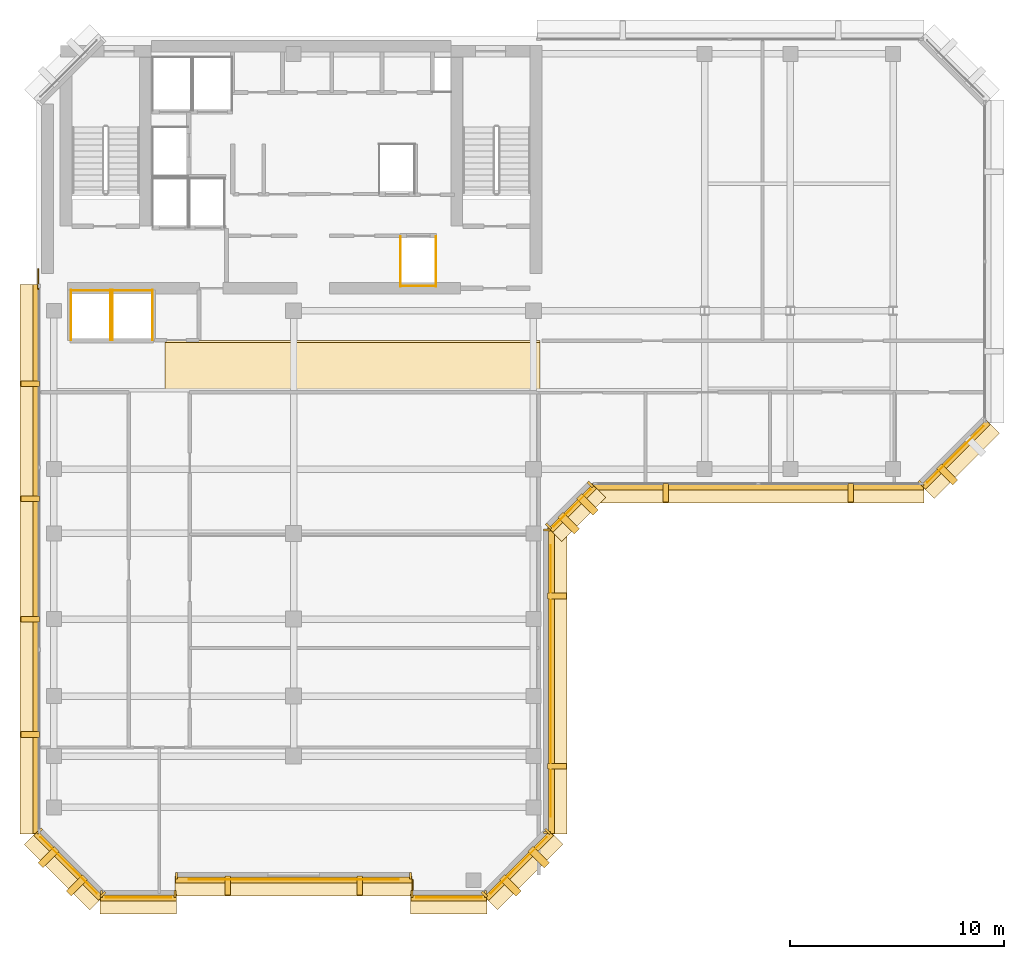
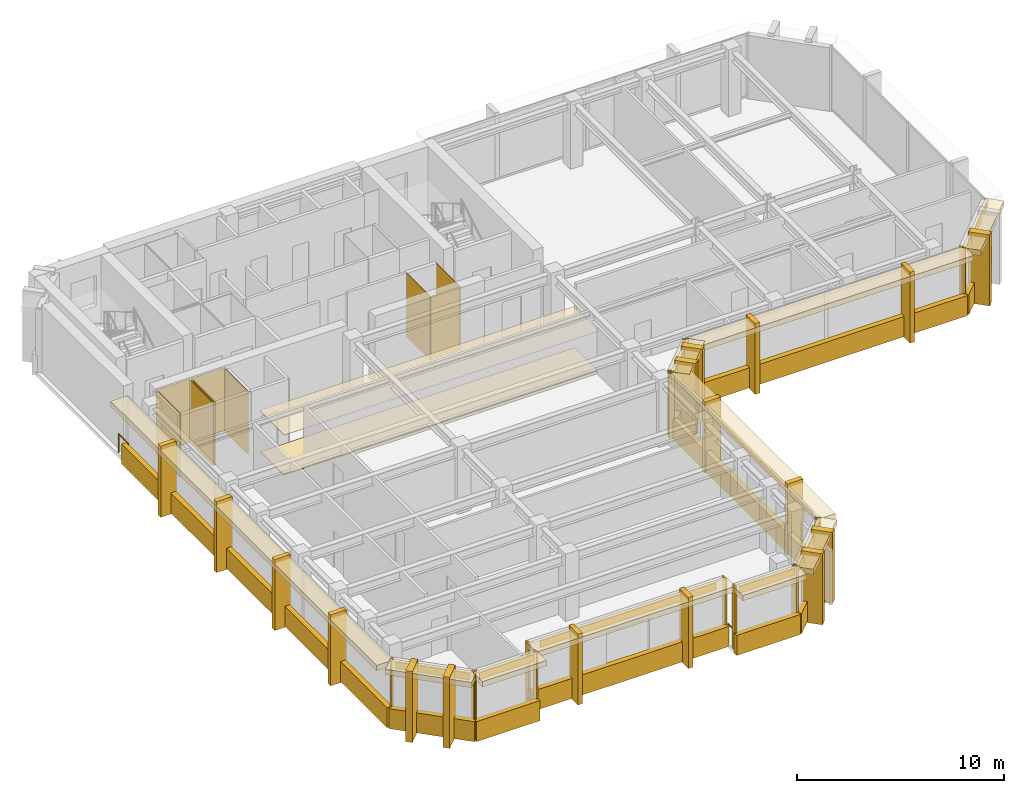
# One storey, part 9 of 12: 71 coverings, 2 railings.
"""IFC4 building model written with IfcOpenShell, lengths in metres."""

from ifc_helpers import new_model, si_unit, direction, frame, origin, origin_2d, place, context, subcontext, project, spatial, polyline, rectangle, circle, outline, extrude, material, layer, layer_set, type_object, element, save


model = new_model("IFC4")

# Units and contexts
model_context = context("Model", 3, precision=1e-05, world=origin(), true_north=direction((0.0, 1.0)))
body_context = subcontext(model_context, "Body", "Model", "MODEL_VIEW")
ifc_project = project(units=[si_unit("LENGTHUNIT", "METRE"), si_unit("AREAUNIT", "SQUARE_METRE"), si_unit("VOLUMEUNIT", "CUBIC_METRE"), si_unit("PLANEANGLEUNIT", "RADIAN"), si_unit("MASSUNIT", "GRAM", prefix="KILO")], contexts=[model_context])

# Site, building, storey
site_placement = place(None, origin())
site = spatial("IfcSite", under=ifc_project, at=site_placement, CompositionType="ELEMENT")
building_placement = place(site_placement, origin())
building = spatial("IfcBuilding", under=site, at=building_placement, Name="Kefirva Bronze Tower", CompositionType="ELEMENT")
storey_placement = place(building_placement, frame((0.0, 0.0, 280.169921875)))
storey = spatial("IfcBuildingStorey", under=building, at=storey_placement, Name="L68", CompositionType="ELEMENT", Elevation=280.169921875)

# Coverings
ifc_material_1 = material(Name="Acoustic mineral tile")
ifc_layer_1 = layer(ifc_material_1, 0.02490234375, Name="Acoustic mineral tile")
ifc_layer_set_1 = layer_set([ifc_layer_1], Name="Acoustic mineral tile")
covering_type_1 = type_object("IfcCoveringType", Name="Acoustic Mineral Suspended Ceiling 25mm", PredefinedType="CEILING", material=ifc_layer_set_1)
covering_1_placement = place(storey_placement, frame((0.0, 0.0, 2.400146484375)))
element("IfcCovering", 1, at=covering_1_placement, inside=storey, type_object=covering_type_1, Name="L68 Corridor Acoustic Ceiling", PredefinedType="CEILING", context=body_context, shape_type="SweptSolid", body=[
    extrude(outline(polyline([(6.0, 29.39990234375), (23.5, 29.39990234375), (23.5, 31.800048828125), (6.0, 31.800048828125), (6.0, 29.39990234375)])), origin(), (0.0, 0.0, 1.0), 0.02490234375),
])
ifc_material_2 = material(Name="Bronze anodised aluminium", Category="aluminium")
ifc_layer_2 = layer(ifc_material_2, 0.02001953125, Name="Bronze anodised aluminium")
ifc_layer_set_2 = layer_set([ifc_layer_2], Name="Bronze anodised aluminium")
covering_type_2 = type_object("IfcCoveringType", Name="Anodised Bronze Spandrel Cladding 20mm", PredefinedType="CLADDING", material=ifc_layer_set_2)
covering_2_placement = place(storey_placement, frame((4.75, 5.7900390625, 3.320068359375), z_axis=(0.0, 0.0, 1.0), x_axis=(1.0, 0.0, 0.0)))
element("IfcCovering", 2, at=covering_2_placement, inside=storey, type_object=covering_type_2, Name="L68 Bronze Spandrel Cladding 1", PredefinedType="CLADDING", context=body_context, shape_type="SweptSolid", body=[
    extrude(rectangle(XDim=3.051025390625, YDim=0.02001953125, at=origin_2d()), origin(), (0.0, 0.0, 1.0), 0.39990234375),
])
for number, where, z_axis, x_axis, name in (
    (3, (3.034912109375, 5.9599609375, 0.0), (0.0, 0.0, 1.0), (1.0, 0.0, 0.0), "L68 Facade Joint Closure Panel 1S"),
    (4, (6.465087890625, 5.9599609375, 0.0), (0.0, 0.0, 1.0), (1.0, 0.0, 0.0), "L68 Facade Joint Closure Panel 1E"),
):
    element("IfcCovering", number, at=place(storey_placement, frame(where, z_axis=z_axis, x_axis=x_axis)), inside=storey, type_object=covering_type_2, Name=name, PredefinedType="CLADDING", context=body_context, shape_type="SweptSolid", body=[
        extrude(rectangle(XDim=0.10009765625, YDim=0.320068359375, at=origin_2d()), origin(), (0.0, 0.0, 1.0), 3.739990234375),
    ])
covering_3_placement = place(storey_placement, frame((4.75, 5.760009765625, -0.15966796875), z_axis=(0.0, 0.0, 1.0), x_axis=(1.0, 0.0, 0.0)))
element("IfcCovering", 5, at=covering_3_placement, inside=storey, type_object=covering_type_2, Name="L68 Streamline Horizontal Spandrel Band 0", PredefinedType="CLADDING", context=body_context, shape_type="SweptSolid", body=[
    extrude(rectangle(XDim=3.5400390625, YDim=0.280029296875, at=origin_2d()), origin(), (0.0, 0.0, 1.0), 1.179931640625),
])
covering_4_placement = place(storey_placement, frame((12.0, 6.639892578125, 3.320068359375), z_axis=(0.0, 0.0, 1.0), x_axis=(1.0, 0.0, 0.0)))
element("IfcCovering", 6, at=covering_4_placement, inside=storey, type_object=covering_type_2, Name="L68 Bronze Spandrel Cladding 2", PredefinedType="CLADDING", context=body_context, shape_type="SweptSolid", body=[
    extrude(rectangle(XDim=9.801025390625, YDim=0.02001953125, at=origin_2d()), origin(), (0.0, 0.0, 1.0), 0.39990234375),
])
for number, where, z_axis, x_axis, name in (
    (7, (6.534912109375, 6.81005859375, 0.0), (0.0, 0.0, 1.0), (1.0, 0.0, 0.0), "L68 Facade Joint Closure Panel 2S"),
    (8, (17.465087890625, 6.81005859375, 0.0), (0.0, 0.0, 1.0), (1.0, 0.0, 0.0), "L68 Facade Joint Closure Panel 2E"),
):
    element("IfcCovering", number, at=place(storey_placement, frame(where, z_axis=z_axis, x_axis=x_axis)), inside=storey, type_object=covering_type_2, Name=name, PredefinedType="CLADDING", context=body_context, shape_type="SweptSolid", body=[
        extrude(rectangle(XDim=0.10009765625, YDim=0.320068359375, at=origin_2d()), origin(), (0.0, 0.0, 1.0), 3.739990234375),
    ])
covering_5_placement = place(storey_placement, frame((12.0, 6.610107421875, -0.15966796875), z_axis=(0.0, 0.0, 1.0), x_axis=(1.0, 0.0, 0.0)))
element("IfcCovering", 9, at=covering_5_placement, inside=storey, type_object=covering_type_2, Name="L68 Streamline Horizontal Spandrel Band 2", PredefinedType="CLADDING", context=body_context, shape_type="SweptSolid", body=[
    extrude(rectangle(XDim=11.0400390625, YDim=0.280029296875, at=origin_2d()), origin(), (0.0, 0.0, 1.0), 1.179931640625),
])
covering_6_placement = place(storey_placement, frame((19.25, 5.7900390625, 3.320068359375), z_axis=(0.0, 0.0, 1.0), x_axis=(1.0, 0.0, 0.0)))
element("IfcCovering", 10, at=covering_6_placement, inside=storey, type_object=covering_type_2, Name="L68 Bronze Spandrel Cladding 3", PredefinedType="CLADDING", context=body_context, shape_type="SweptSolid", body=[
    extrude(rectangle(XDim=3.051025390625, YDim=0.02001953125, at=origin_2d()), origin(), (0.0, 0.0, 1.0), 0.39990234375),
])
for number, where, z_axis, x_axis, name in (
    (11, (17.534912109375, 5.9599609375, 0.0), (0.0, 0.0, 1.0), (1.0, 0.0, 0.0), "L68 Facade Joint Closure Panel 3S"),
    (12, (20.965087890625, 5.9599609375, 0.0), (0.0, 0.0, 1.0), (1.0, 0.0, 0.0), "L68 Facade Joint Closure Panel 3E"),
):
    element("IfcCovering", number, at=place(storey_placement, frame(where, z_axis=z_axis, x_axis=x_axis)), inside=storey, type_object=covering_type_2, Name=name, PredefinedType="CLADDING", context=body_context, shape_type="SweptSolid", body=[
        extrude(rectangle(XDim=0.10009765625, YDim=0.320068359375, at=origin_2d()), origin(), (0.0, 0.0, 1.0), 3.739990234375),
    ])
covering_7_placement = place(storey_placement, frame((19.25, 5.760009765625, -0.15966796875), z_axis=(0.0, 0.0, 1.0), x_axis=(1.0, 0.0, 0.0)))
element("IfcCovering", 13, at=covering_7_placement, inside=storey, type_object=covering_type_2, Name="L68 Streamline Horizontal Spandrel Band 4", PredefinedType="CLADDING", context=body_context, shape_type="SweptSolid", body=[
    extrude(rectangle(XDim=3.5400390625, YDim=0.280029296875, at=origin_2d()), origin(), (0.0, 0.0, 1.0), 1.179931640625),
])
covering_8_placement = place(storey_placement, frame((22.507080078125, 7.29296875, 3.320068359375), z_axis=(0.0, 0.0, 1.0), x_axis=(0.707106781187, 0.707106781187, 0.0)))
element("IfcCovering", 14, at=covering_8_placement, inside=storey, type_object=covering_type_2, Name="L68 Bronze Spandrel Cladding 4", PredefinedType="CLADDING", context=body_context, shape_type="SweptSolid", body=[
    extrude(rectangle(XDim=3.719482421875, YDim=0.02001953125, at=origin_2d()), origin(), (0.0, 0.0, 1.0), 0.39990234375),
])
for number, where, z_axis, x_axis, name in (
    (15, (20.91162109375, 5.93798828125, 0.0), (0.0, 0.0, 1.0), (0.707106781187, 0.707106781187, 0.0), "L68 Facade Joint Closure Panel 4S"),
    (16, (23.862060546875, 8.88818359375, 0.0), (0.0, 0.0, 1.0), (0.707106781187, 0.707106781187, 0.0), "L68 Facade Joint Closure Panel 4E"),
):
    element("IfcCovering", number, at=place(storey_placement, frame(where, z_axis=z_axis, x_axis=x_axis)), inside=storey, type_object=covering_type_2, Name=name, PredefinedType="CLADDING", context=body_context, shape_type="SweptSolid", body=[
        extrude(rectangle(XDim=0.10009765625, YDim=0.320068359375, at=origin_2d()), origin(), (0.0, 0.0, 1.0), 3.739990234375),
    ])
covering_9_placement = place(storey_placement, frame((22.5283203125, 7.271728515625, -0.15966796875), z_axis=(0.0, 0.0, 1.0), x_axis=(0.707106781187, 0.707106781187, 0.0)))
element("IfcCovering", 17, at=covering_9_placement, inside=storey, type_object=covering_type_2, Name="L68 Streamline Horizontal Spandrel Band 5", PredefinedType="CLADDING", context=body_context, shape_type="SweptSolid", body=[
    extrude(rectangle(XDim=4.28271484375, YDim=0.280029296875, at=origin_2d()), origin(), (0.0, 0.0, 1.0), 1.179931640625),
])
covering_10_placement = place(storey_placement, frame((24.010009765625, 15.89990234375, 3.320068359375), z_axis=(0.0, 0.0, 1.0), x_axis=(0.0, 1.0, 0.0)))
element("IfcCovering", 18, at=covering_10_placement, inside=storey, type_object=covering_type_2, Name="L68 Bronze Spandrel Cladding 5", PredefinedType="CLADDING", context=body_context, shape_type="SweptSolid", body=[
    extrude(rectangle(XDim=12.680908203125, YDim=0.02001953125, at=origin_2d()), origin(), (0.0, 0.0, 1.0), 0.39990234375),
])
for number, where, z_axis, x_axis, name in (
    (19, (23.840087890625, 8.8349609375, 0.0), (0.0, 0.0, 1.0), (0.0, 1.0, 0.0), "L68 Facade Joint Closure Panel 5S"),
    (20, (23.840087890625, 22.965087890625, 0.0), (0.0, 0.0, 1.0), (0.0, 1.0, 0.0), "L68 Facade Joint Closure Panel 5E"),
):
    element("IfcCovering", number, at=place(storey_placement, frame(where, z_axis=z_axis, x_axis=x_axis)), inside=storey, type_object=covering_type_2, Name=name, PredefinedType="CLADDING", context=body_context, shape_type="SweptSolid", body=[
        extrude(rectangle(XDim=0.10009765625, YDim=0.320068359375, at=origin_2d()), origin(), (0.0, 0.0, 1.0), 3.739990234375),
    ])
covering_11_placement = place(storey_placement, frame((24.0400390625, 15.89990234375, -0.15966796875), z_axis=(0.0, 0.0, 1.0), x_axis=(0.0, 1.0, 0.0)))
element("IfcCovering", 21, at=covering_11_placement, inside=storey, type_object=covering_type_2, Name="L68 Streamline Horizontal Spandrel Band 6", PredefinedType="CLADDING", context=body_context, shape_type="SweptSolid", body=[
    extrude(rectangle(XDim=14.239990234375, YDim=0.280029296875, at=origin_2d()), origin(), (0.0, 0.0, 1.0), 1.179931640625),
])
covering_12_placement = place(storey_placement, frame((25.007080078125, 23.992919921875, 3.320068359375), z_axis=(0.0, 0.0, 1.0), x_axis=(0.707106781187, 0.707106781187, 0.0)))
element("IfcCovering", 22, at=covering_12_placement, inside=storey, type_object=covering_type_2, Name="L68 Bronze Spandrel Cladding 6", PredefinedType="CLADDING", context=body_context, shape_type="SweptSolid", body=[
    extrude(rectangle(XDim=2.446533203125, YDim=0.02001953125, at=origin_2d()), origin(), (0.0, 0.0, 1.0), 0.39990234375),
])
for number, where, z_axis, x_axis, name in (
    (23, (23.91162109375, 23.137939453125, 0.0), (0.0, 0.0, 1.0), (0.707106781187, 0.707106781187, 0.0), "L68 Facade Joint Closure Panel 6S"),
    (24, (25.862060546875, 25.08837890625, 0.0), (0.0, 0.0, 1.0), (0.707106781187, 0.707106781187, 0.0), "L68 Facade Joint Closure Panel 6E"),
):
    element("IfcCovering", number, at=place(storey_placement, frame(where, z_axis=z_axis, x_axis=x_axis)), inside=storey, type_object=covering_type_2, Name=name, PredefinedType="CLADDING", context=body_context, shape_type="SweptSolid", body=[
        extrude(rectangle(XDim=0.10009765625, YDim=0.320068359375, at=origin_2d()), origin(), (0.0, 0.0, 1.0), 3.739990234375),
    ])
covering_13_placement = place(storey_placement, frame((25.0283203125, 23.9716796875, -0.15966796875), z_axis=(0.0, 0.0, 1.0), x_axis=(0.707106781187, 0.707106781187, 0.0)))
element("IfcCovering", 25, at=covering_13_placement, inside=storey, type_object=covering_type_2, Name="L68 Streamline Horizontal Spandrel Band 7", PredefinedType="CLADDING", context=body_context, shape_type="SweptSolid", body=[
    extrude(rectangle(XDim=2.868408203125, YDim=0.280029296875, at=origin_2d()), origin(), (0.0, 0.0, 1.0), 1.179931640625),
])
covering_14_placement = place(storey_placement, frame((33.699951171875, 24.9599609375, -0.15966796875), z_axis=(0.0, 0.0, 1.0), x_axis=(1.0, 0.0, 0.0)))
element("IfcCovering", 26, at=covering_14_placement, inside=storey, type_object=covering_type_2, Name="L68 Streamline Horizontal Spandrel Band 8", PredefinedType="CLADDING", context=body_context, shape_type="SweptSolid", body=[
    extrude(rectangle(XDim=15.43994140625, YDim=0.280029296875, at=origin_2d()), origin(), (0.0, 0.0, 1.0), 1.179931640625),
])
covering_15_placement = place(storey_placement, frame((42.906982421875, 26.492919921875, 3.320068359375), z_axis=(0.0, 0.0, 1.0), x_axis=(0.707106781187, 0.707106781187, 0.0)))
element("IfcCovering", 27, at=covering_15_placement, inside=storey, type_object=covering_type_2, Name="L68 Bronze Spandrel Cladding 7", PredefinedType="CLADDING", context=body_context, shape_type="SweptSolid", body=[
    extrude(rectangle(XDim=3.719482421875, YDim=0.02001953125, at=origin_2d()), origin(), (0.0, 0.0, 1.0), 0.39990234375),
])
covering_16_placement = place(storey_placement, frame((41.311767578125, 25.137939453125, 0.0), z_axis=(0.0, 0.0, 1.0), x_axis=(0.707106781187, 0.707106781187, 0.0)))
element("IfcCovering", 28, at=covering_16_placement, inside=storey, type_object=covering_type_2, Name="L68 Facade Joint Closure Panel 7S", PredefinedType="CLADDING", context=body_context, shape_type="SweptSolid", body=[
    extrude(rectangle(XDim=0.10009765625, YDim=0.320068359375, at=origin_2d()), origin(), (0.0, 0.0, 1.0), 3.739990234375),
])
covering_17_placement = place(storey_placement, frame((42.92822265625, 26.4716796875, -0.15966796875), z_axis=(0.0, 0.0, 1.0), x_axis=(0.707106781187, 0.707106781187, 0.0)))
element("IfcCovering", 29, at=covering_17_placement, inside=storey, type_object=covering_type_2, Name="L68 Streamline Horizontal Spandrel Band 9", PredefinedType="CLADDING", context=body_context, shape_type="SweptSolid", body=[
    extrude(rectangle(XDim=4.28271484375, YDim=0.280029296875, at=origin_2d()), origin(), (0.0, 0.0, 1.0), 1.179931640625),
])
covering_18_placement = place(storey_placement, frame((-0.0400390625, 21.597412109375, -0.15966796875), z_axis=(0.0, 0.0, 1.0), x_axis=(0.0, -1.0, 0.0)))
element("IfcCovering", 30, at=covering_18_placement, inside=storey, type_object=covering_type_2, Name="L68 Streamline Horizontal Spandrel Band 14", PredefinedType="CLADDING", context=body_context, shape_type="SweptSolid", body=[
    extrude(rectangle(XDim=25.635009765625, YDim=0.280029296875, at=origin_2d()), origin(), (0.0, 0.0, 1.0), 1.179931640625),
])
covering_19_placement = place(storey_placement, frame((1.492919921875, 7.29296875, 3.320068359375), z_axis=(0.0, 0.0, 1.0), x_axis=(0.707106781187, -0.707106781187, 0.0)))
element("IfcCovering", 31, at=covering_19_placement, inside=storey, type_object=covering_type_2, Name="L68 Bronze Spandrel Cladding 10", PredefinedType="CLADDING", context=body_context, shape_type="SweptSolid", body=[
    extrude(rectangle(XDim=3.719482421875, YDim=0.02001953125, at=origin_2d()), origin(), (0.0, 0.0, 1.0), 0.39990234375),
])
for number, where, z_axis, x_axis, name in (
    (32, (0.137939453125, 8.88818359375, 0.0), (0.0, 0.0, 1.0), (0.707106781187, -0.707106781187, 0.0), "L68 Facade Joint Closure Panel 10S"),
    (33, (3.08837890625, 5.93798828125, 0.0), (0.0, 0.0, 1.0), (0.707106781187, -0.707106781187, 0.0), "L68 Facade Joint Closure Panel 10E"),
):
    element("IfcCovering", number, at=place(storey_placement, frame(where, z_axis=z_axis, x_axis=x_axis)), inside=storey, type_object=covering_type_2, Name=name, PredefinedType="CLADDING", context=body_context, shape_type="SweptSolid", body=[
        extrude(rectangle(XDim=0.10009765625, YDim=0.320068359375, at=origin_2d()), origin(), (0.0, 0.0, 1.0), 3.739990234375),
    ])
covering_20_placement = place(storey_placement, frame((1.4716796875, 7.271728515625, -0.15966796875), z_axis=(0.0, 0.0, 1.0), x_axis=(0.707106781187, -0.707106781187, 0.0)))
element("IfcCovering", 34, at=covering_20_placement, inside=storey, type_object=covering_type_2, Name="L68 Streamline Horizontal Spandrel Band 15", PredefinedType="CLADDING", context=body_context, shape_type="SweptSolid", body=[
    extrude(rectangle(XDim=4.28271484375, YDim=0.280029296875, at=origin_2d()), origin(), (0.0, 0.0, 1.0), 1.179931640625),
])
covering_21_placement = place(storey_placement, origin())
element("IfcCovering", 35, at=covering_21_placement, inside=storey, type_object=covering_type_2, Name="L68 Lift OB1 Hoistway Liner N", PredefinedType="CLADDING", context=body_context, shape_type="SweptSolid", body=[
    extrude(outline(polyline([(1.580078125, 34.139892578125), (3.469970703125, 34.139892578125), (3.469970703125, 34.159912109375), (1.580078125, 34.159912109375), (1.580078125, 34.139892578125)])), origin(), (0.0, 0.0, 1.0), 3.739990234375),
])
covering_22_placement = place(storey_placement, origin())
element("IfcCovering", 36, at=covering_22_placement, inside=storey, type_object=covering_type_2, Name="L68 Lift OB1 Hoistway Liner W", PredefinedType="CLADDING", context=body_context, shape_type="SweptSolid", body=[
    extrude(outline(polyline([(1.590087890625, 31.830078125), (1.610107421875, 31.830078125), (1.610107421875, 34.169921875), (1.590087890625, 34.169921875), (1.590087890625, 31.830078125)])), origin(), (0.0, 0.0, 1.0), 3.739990234375),
])
covering_23_placement = place(storey_placement, origin())
element("IfcCovering", 37, at=covering_23_placement, inside=storey, type_object=covering_type_2, Name="L68 Lift OB1 Hoistway Liner E", PredefinedType="CLADDING", context=body_context, shape_type="SweptSolid", body=[
    extrude(outline(polyline([(3.43994140625, 31.830078125), (3.4599609375, 31.830078125), (3.4599609375, 34.169921875), (3.43994140625, 34.169921875), (3.43994140625, 31.830078125)])), origin(), (0.0, 0.0, 1.0), 3.739990234375),
])
covering_24_placement = place(storey_placement, origin())
element("IfcCovering", 38, at=covering_24_placement, inside=storey, type_object=covering_type_2, Name="L68 Lift OB2 Hoistway Liner N", PredefinedType="CLADDING", context=body_context, shape_type="SweptSolid", body=[
    extrude(outline(polyline([(3.530029296875, 34.139892578125), (5.419921875, 34.139892578125), (5.419921875, 34.159912109375), (3.530029296875, 34.159912109375), (3.530029296875, 34.139892578125)])), origin(), (0.0, 0.0, 1.0), 3.739990234375),
])
covering_25_placement = place(storey_placement, origin())
element("IfcCovering", 39, at=covering_25_placement, inside=storey, type_object=covering_type_2, Name="L68 Lift OB2 Hoistway Liner W", PredefinedType="CLADDING", context=body_context, shape_type="SweptSolid", body=[
    extrude(outline(polyline([(3.5400390625, 31.830078125), (3.56005859375, 31.830078125), (3.56005859375, 34.169921875), (3.5400390625, 34.169921875), (3.5400390625, 31.830078125)])), origin(), (0.0, 0.0, 1.0), 3.739990234375),
])
covering_26_placement = place(storey_placement, origin())
element("IfcCovering", 40, at=covering_26_placement, inside=storey, type_object=covering_type_2, Name="L68 Lift OB2 Hoistway Liner E", PredefinedType="CLADDING", context=body_context, shape_type="SweptSolid", body=[
    extrude(outline(polyline([(5.389892578125, 31.830078125), (5.409912109375, 31.830078125), (5.409912109375, 34.169921875), (5.389892578125, 34.169921875), (5.389892578125, 31.830078125)])), origin(), (0.0, 0.0, 1.0), 3.739990234375),
])
covering_27_placement = place(storey_placement, origin())
element("IfcCovering", 41, at=covering_27_placement, inside=storey, type_object=covering_type_2, Name="L68 Lift HP1 Hoistway Liner S", PredefinedType="CLADDING", context=body_context, shape_type="SweptSolid", body=[
    extrude(outline(polyline([(16.97998046875, 34.340087890625), (18.669921875, 34.340087890625), (18.669921875, 34.360107421875), (16.97998046875, 34.360107421875), (16.97998046875, 34.340087890625)])), origin(), (0.0, 0.0, 1.0), 3.739990234375),
])
covering_28_placement = place(storey_placement, origin())
element("IfcCovering", 42, at=covering_28_placement, inside=storey, type_object=covering_type_2, Name="L68 Lift HP1 Hoistway Liner W", PredefinedType="CLADDING", context=body_context, shape_type="SweptSolid", body=[
    extrude(outline(polyline([(16.989990234375, 34.330078125), (17.010009765625, 34.330078125), (17.010009765625, 36.669921875), (16.989990234375, 36.669921875), (16.989990234375, 34.330078125)])), origin(), (0.0, 0.0, 1.0), 3.739990234375),
])
covering_29_placement = place(storey_placement, origin())
element("IfcCovering", 43, at=covering_29_placement, inside=storey, type_object=covering_type_2, Name="L68 Lift HP1 Hoistway Liner E", PredefinedType="CLADDING", context=body_context, shape_type="SweptSolid", body=[
    extrude(outline(polyline([(18.639892578125, 34.330078125), (18.659912109375, 34.330078125), (18.659912109375, 36.669921875), (18.639892578125, 36.669921875), (18.639892578125, 34.330078125)])), origin(), (0.0, 0.0, 1.0), 3.739990234375),
])

# Railings
ifc_material_3 = material(Name="Stainless steel 316", Category="steel")
railing_type = type_object("IfcRailingType", Name="Interior Stair Guardrail 1100mm", PredefinedType="GUARDRAIL", material=ifc_material_3)
railing_1_placement = place(storey_placement, frame((0.080078125, 34.199951171875, 0.0)))
element("IfcRailing", 44, at=railing_1_placement, inside=storey, type_object=railing_type, Name="L68 West Core Junction Guardrail", PredefinedType="GUARDRAIL", context=body_context, shape_type="SweptSolid", body=[
    extrude(circle(Radius=0.02392578125, at=origin_2d()), frame((0.0, 0.0, 1.076171875), z_axis=(0.0, 1.0, 0.0), x_axis=(-1.0, 0.0, 0.0)), (0.0, 0.0, 1.0), 0.949951171875),
    extrude(circle(Radius=0.02099609375, at=origin_2d()), origin(), (0.0, 0.0, 1.0), 1.052001953125),
    extrude(circle(Radius=0.02099609375, at=origin_2d()), frame((0.0, 0.949951171875, 0.0)), (0.0, 0.0, 1.0), 1.052001953125),
])
railing_2_placement = place(storey_placement, frame((17.56005859375, 6.14990234375, 0.0)))
element("IfcRailing", 45, at=railing_2_placement, inside=storey, type_object=railing_type, Name="L68 Setback Corner Guardrail SB1", PredefinedType="GUARDRAIL", context=body_context, shape_type="SweptSolid", body=[
    extrude(circle(Radius=0.02392578125, at=origin_2d()), frame((0.0, 0.0, 1.076171875), z_axis=(0.0, 1.0, 0.0), x_axis=(-1.0, 0.0, 0.0)), (0.0, 0.0, 1.0), 0.47021484375),
    extrude(circle(Radius=0.02099609375, at=origin_2d()), origin(), (0.0, 0.0, 1.0), 1.052001953125),
    extrude(circle(Radius=0.02099609375, at=origin_2d()), frame((0.0, 0.47021484375, 0.0)), (0.0, 0.0, 1.0), 1.052001953125),
])

# Coverings
ifc_material_4 = material(Name="Calcium sulphate access tile")
ifc_layer_3 = layer(ifc_material_4, 0.044921875, Name="Calcium sulphate access tile")
ifc_layer_set_3 = layer_set([ifc_layer_3], Name="Calcium sulphate access tile")
covering_type_3 = type_object("IfcCoveringType", Name="Raised Access Office Flooring 45mm", PredefinedType="FLOORING", material=ifc_layer_set_3)
covering_30_placement = place(storey_placement, origin())
element("IfcCovering", 46, at=covering_30_placement, inside=storey, type_object=covering_type_3, Name="L68 Architectural Finish Flooring", PredefinedType="FLOORING", context=body_context, shape_type="SweptSolid", body=[
    extrude(outline(polyline([(6.0, 29.47998046875), (23.5, 29.47998046875), (23.5, 31.719970703125), (6.0, 31.719970703125), (6.0, 29.47998046875)])), origin(), (0.0, 0.0, 1.0), 0.045166015625),
])
ifc_layer_4 = layer(ifc_material_2, 0.179931640625, Name="Bronze anodised aluminium")
ifc_layer_set_4 = layer_set([ifc_layer_4], Name="Bronze anodised aluminium")
covering_type_4 = type_object("IfcCoveringType", Name="Streamline Bronze Sunshade Eyebrow Cladding 180mm", PredefinedType="CLADDING", material=ifc_layer_set_4)
covering_31_placement = place(storey_placement, frame((4.75, 5.489990234375, 3.419921875), z_axis=(0.0, 0.0, 1.0), x_axis=(1.0, 0.0, 0.0)))
element("IfcCovering", 47, at=covering_31_placement, inside=storey, type_object=covering_type_4, Name="L68 Streamline Bronze Sunshade Eyebrow 0", PredefinedType="CLADDING", context=body_context, shape_type="SweptSolid", body=[
    extrude(rectangle(XDim=3.580078125, YDim=0.93994140625, at=origin_2d()), origin(), (0.0, 0.0, 1.0), 0.320068359375),
])
covering_32_placement = place(storey_placement, frame((12.0, 6.340087890625, 3.419921875), z_axis=(0.0, 0.0, 1.0), x_axis=(1.0, 0.0, 0.0)))
element("IfcCovering", 48, at=covering_32_placement, inside=storey, type_object=covering_type_4, Name="L68 Streamline Bronze Sunshade Eyebrow 2", PredefinedType="CLADDING", context=body_context, shape_type="SweptSolid", body=[
    extrude(rectangle(XDim=11.080078125, YDim=0.93994140625, at=origin_2d()), origin(), (0.0, 0.0, 1.0), 0.320068359375),
])
covering_33_placement = place(storey_placement, frame((19.25, 5.489990234375, 3.419921875), z_axis=(0.0, 0.0, 1.0), x_axis=(1.0, 0.0, 0.0)))
element("IfcCovering", 49, at=covering_33_placement, inside=storey, type_object=covering_type_4, Name="L68 Streamline Bronze Sunshade Eyebrow 4", PredefinedType="CLADDING", context=body_context, shape_type="SweptSolid", body=[
    extrude(rectangle(XDim=3.580078125, YDim=0.93994140625, at=origin_2d()), origin(), (0.0, 0.0, 1.0), 0.320068359375),
])
covering_34_placement = place(storey_placement, frame((22.71923828125, 7.080810546875, 3.419921875), z_axis=(0.0, 0.0, 1.0), x_axis=(0.707106781187, 0.707106781187, 0.0)))
element("IfcCovering", 50, at=covering_34_placement, inside=storey, type_object=covering_type_4, Name="L68 Streamline Bronze Sunshade Eyebrow 5", PredefinedType="CLADDING", context=body_context, shape_type="SweptSolid", body=[
    extrude(rectangle(XDim=4.322509765625, YDim=0.93994140625, at=origin_2d()), origin(), (0.0, 0.0, 1.0), 0.320068359375),
])
covering_35_placement = place(storey_placement, frame((24.31005859375, 15.89990234375, 3.419921875), z_axis=(0.0, 0.0, 1.0), x_axis=(0.0, 1.0, 0.0)))
element("IfcCovering", 51, at=covering_35_placement, inside=storey, type_object=covering_type_4, Name="L68 Streamline Bronze Sunshade Eyebrow 6", PredefinedType="CLADDING", context=body_context, shape_type="SweptSolid", body=[
    extrude(rectangle(XDim=14.280029296875, YDim=0.93994140625, at=origin_2d()), origin(), (0.0, 0.0, 1.0), 0.320068359375),
])
covering_36_placement = place(storey_placement, frame((25.21923828125, 23.78076171875, 3.419921875), z_axis=(0.0, 0.0, 1.0), x_axis=(0.707106781187, 0.707106781187, 0.0)))
element("IfcCovering", 52, at=covering_36_placement, inside=storey, type_object=covering_type_4, Name="L68 Streamline Bronze Sunshade Eyebrow 7", PredefinedType="CLADDING", context=body_context, shape_type="SweptSolid", body=[
    extrude(rectangle(XDim=2.908447265625, YDim=0.93994140625, at=origin_2d()), origin(), (0.0, 0.0, 1.0), 0.320068359375),
])
covering_37_placement = place(storey_placement, frame((33.699951171875, 24.68994140625, 3.419921875), z_axis=(0.0, 0.0, 1.0), x_axis=(1.0, 0.0, 0.0)))
element("IfcCovering", 53, at=covering_37_placement, inside=storey, type_object=covering_type_4, Name="L68 Streamline Bronze Sunshade Eyebrow 8", PredefinedType="CLADDING", context=body_context, shape_type="SweptSolid", body=[
    extrude(rectangle(XDim=15.47998046875, YDim=0.93994140625, at=origin_2d()), origin(), (0.0, 0.0, 1.0), 0.320068359375),
])
covering_38_placement = place(storey_placement, frame((43.119140625, 26.28076171875, 3.419921875), z_axis=(0.0, 0.0, 1.0), x_axis=(0.707106781187, 0.707106781187, 0.0)))
element("IfcCovering", 54, at=covering_38_placement, inside=storey, type_object=covering_type_4, Name="L68 Streamline Bronze Sunshade Eyebrow 9", PredefinedType="CLADDING", context=body_context, shape_type="SweptSolid", body=[
    extrude(rectangle(XDim=4.322509765625, YDim=0.93994140625, at=origin_2d()), origin(), (0.0, 0.0, 1.0), 0.320068359375),
])
covering_39_placement = place(storey_placement, frame((-0.31005859375, 21.597412109375, 3.419921875), z_axis=(0.0, 0.0, 1.0), x_axis=(0.0, -1.0, 0.0)))
element("IfcCovering", 55, at=covering_39_placement, inside=storey, type_object=covering_type_4, Name="L68 Streamline Bronze Sunshade Eyebrow 14", PredefinedType="CLADDING", context=body_context, shape_type="SweptSolid", body=[
    extrude(rectangle(XDim=25.675048828125, YDim=0.93994140625, at=origin_2d()), origin(), (0.0, 0.0, 1.0), 0.320068359375),
])
covering_40_placement = place(storey_placement, frame((1.28076171875, 7.080810546875, 3.419921875), z_axis=(0.0, 0.0, 1.0), x_axis=(0.707106781187, -0.707106781187, 0.0)))
element("IfcCovering", 56, at=covering_40_placement, inside=storey, type_object=covering_type_4, Name="L68 Streamline Bronze Sunshade Eyebrow 15", PredefinedType="CLADDING", context=body_context, shape_type="SweptSolid", body=[
    extrude(rectangle(XDim=4.322509765625, YDim=0.93994140625, at=origin_2d()), origin(), (0.0, 0.0, 1.0), 0.320068359375),
])
ifc_layer_5 = layer(ifc_material_2, 0.260009765625, Name="Bronze anodised aluminium")
ifc_layer_set_5 = layer_set([ifc_layer_5], Name="Bronze anodised aluminium")
covering_type_5 = type_object("IfcCoveringType", Name="Unbroken Bronze Buttress Fin Cladding 260mm", PredefinedType="CLADDING", material=ifc_layer_set_5)
for number, where, z_axis, x_axis, name in (
    (57, (8.919921875, 6.35009765625, -0.2197265625), (0.0, 0.0, 1.0), (1.0, 0.0, 0.0), "L68 Unbroken Vertical Bronze Rib Fin 1"),
    (58, (15.080078125, 6.35009765625, -0.2197265625), (0.0, 0.0, 1.0), (1.0, 0.0, 0.0), "L68 Unbroken Vertical Bronze Rib Fin 2"),
):
    element("IfcCovering", number, at=place(storey_placement, frame(where, z_axis=z_axis, x_axis=x_axis)), inside=storey, type_object=covering_type_5, Name=name, PredefinedType="CLADDING", context=body_context, shape_type="SweptSolid", body=[
        extrude(rectangle(XDim=0.260009765625, YDim=0.8798828125, at=origin_2d()), origin(), (0.0, 0.0, 1.0), 4.179931640625),
    ])
for number, where, z_axis, x_axis, name in (
    (59, (22.122802734375, 6.357177734375, -0.2197265625), (0.0, 0.0, 1.0), (0.707106781187, 0.707106781187, 0.0), "L68 Chamfered Corner Buttress Fin Cladding 3"),
    (60, (23.44287109375, 7.67724609375, -0.2197265625), (0.0, 0.0, 1.0), (0.707106781187, 0.707106781187, 0.0), "L68 Chamfered Corner Buttress Fin Cladding 4"),
):
    element("IfcCovering", number, at=place(storey_placement, frame(where, z_axis=z_axis, x_axis=x_axis)), inside=storey, type_object=covering_type_5, Name=name, PredefinedType="CLADDING", context=body_context, shape_type="SweptSolid", body=[
        extrude(rectangle(XDim=0.340087890625, YDim=1.080078125, at=origin_2d()), origin(), (0.0, 0.0, 1.0), 4.179931640625),
    ])
for number, where, z_axis, x_axis, name in (
    (61, (24.300048828125, 11.924072265625, -0.2197265625), (0.0, 0.0, 1.0), (0.0, 1.0, 0.0), "L68 Unbroken Vertical Bronze Rib Fin 5"),
    (62, (24.300048828125, 19.8759765625, -0.2197265625), (0.0, 0.0, 1.0), (0.0, 1.0, 0.0), "L68 Unbroken Vertical Bronze Rib Fin 6"),
):
    element("IfcCovering", number, at=place(storey_placement, frame(where, z_axis=z_axis, x_axis=x_axis)), inside=storey, type_object=covering_type_5, Name=name, PredefinedType="CLADDING", context=body_context, shape_type="SweptSolid", body=[
        extrude(rectangle(XDim=0.260009765625, YDim=0.8798828125, at=origin_2d()), origin(), (0.0, 0.0, 1.0), 4.179931640625),
    ])
for number, where, z_axis, x_axis, name in (
    (63, (24.8427734375, 23.277099609375, -0.2197265625), (0.0, 0.0, 1.0), (0.707106781187, 0.707106781187, 0.0), "L68 Chamfered Corner Buttress Fin Cladding 7"),
    (64, (25.722900390625, 24.1572265625, -0.2197265625), (0.0, 0.0, 1.0), (0.707106781187, 0.707106781187, 0.0), "L68 Chamfered Corner Buttress Fin Cladding 8"),
):
    element("IfcCovering", number, at=place(storey_placement, frame(where, z_axis=z_axis, x_axis=x_axis)), inside=storey, type_object=covering_type_5, Name=name, PredefinedType="CLADDING", context=body_context, shape_type="SweptSolid", body=[
        extrude(rectangle(XDim=0.340087890625, YDim=1.080078125, at=origin_2d()), origin(), (0.0, 0.0, 1.0), 4.179931640625),
    ])
for number, where, z_axis, x_axis, name in (
    (65, (29.387939453125, 24.699951171875, -0.2197265625), (0.0, 0.0, 1.0), (1.0, 0.0, 0.0), "L68 Unbroken Vertical Bronze Rib Fin 9"),
    (66, (38.011962890625, 24.699951171875, -0.2197265625), (0.0, 0.0, 1.0), (1.0, 0.0, 0.0), "L68 Unbroken Vertical Bronze Rib Fin 10"),
):
    element("IfcCovering", number, at=place(storey_placement, frame(where, z_axis=z_axis, x_axis=x_axis)), inside=storey, type_object=covering_type_5, Name=name, PredefinedType="CLADDING", context=body_context, shape_type="SweptSolid", body=[
        extrude(rectangle(XDim=0.260009765625, YDim=0.8798828125, at=origin_2d()), origin(), (0.0, 0.0, 1.0), 4.179931640625),
    ])
covering_41_placement = place(storey_placement, frame((42.522705078125, 25.55712890625, -0.2197265625), z_axis=(0.0, 0.0, 1.0), x_axis=(0.707106781187, 0.707106781187, 0.0)))
element("IfcCovering", 67, at=covering_41_placement, inside=storey, type_object=covering_type_5, Name="L68 Chamfered Corner Buttress Fin Cladding 11", PredefinedType="CLADDING", context=body_context, shape_type="SweptSolid", body=[
    extrude(rectangle(XDim=0.340087890625, YDim=1.080078125, at=origin_2d()), origin(), (0.0, 0.0, 1.0), 4.179931640625),
])
for number, where, z_axis, x_axis, name in (
    (68, (-0.300048828125, 29.787841796875, -0.2197265625), (0.0, 0.0, 1.0), (0.0, -1.0, 0.0), "L68 Unbroken Vertical Bronze Rib Fin 21"),
    (69, (-0.300048828125, 24.4130859375, -0.2197265625), (0.0, 0.0, 1.0), (0.0, -1.0, 0.0), "L68 Unbroken Vertical Bronze Rib Fin 22"),
    (70, (-0.300048828125, 18.781982421875, -0.2197265625), (0.0, 0.0, 1.0), (0.0, -1.0, 0.0), "L68 Unbroken Vertical Bronze Rib Fin 23"),
    (71, (-0.300048828125, 13.406982421875, -0.2197265625), (0.0, 0.0, 1.0), (0.0, -1.0, 0.0), "L68 Unbroken Vertical Bronze Rib Fin 24"),
):
    element("IfcCovering", number, at=place(storey_placement, frame(where, z_axis=z_axis, x_axis=x_axis)), inside=storey, type_object=covering_type_5, Name=name, PredefinedType="CLADDING", context=body_context, shape_type="SweptSolid", body=[
        extrude(rectangle(XDim=0.260009765625, YDim=0.8798828125, at=origin_2d()), origin(), (0.0, 0.0, 1.0), 4.179931640625),
    ])
for number, where, z_axis, x_axis, name in (
    (72, (0.55712890625, 7.67724609375, -0.2197265625), (0.0, 0.0, 1.0), (0.707106781187, -0.707106781187, 0.0), "L68 Chamfered Corner Buttress Fin Cladding 25"),
    (73, (1.877197265625, 6.357177734375, -0.2197265625), (0.0, 0.0, 1.0), (0.707106781187, -0.707106781187, 0.0), "L68 Chamfered Corner Buttress Fin Cladding 26"),
):
    element("IfcCovering", number, at=place(storey_placement, frame(where, z_axis=z_axis, x_axis=x_axis)), inside=storey, type_object=covering_type_5, Name=name, PredefinedType="CLADDING", context=body_context, shape_type="SweptSolid", body=[
        extrude(rectangle(XDim=0.340087890625, YDim=1.080078125, at=origin_2d()), origin(), (0.0, 0.0, 1.0), 4.179931640625),
    ])

save(model, "model.ifc")
